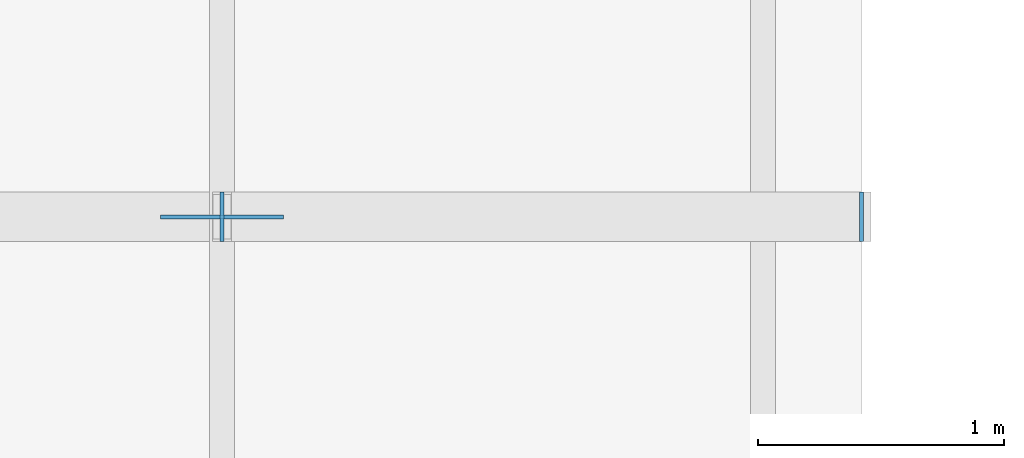
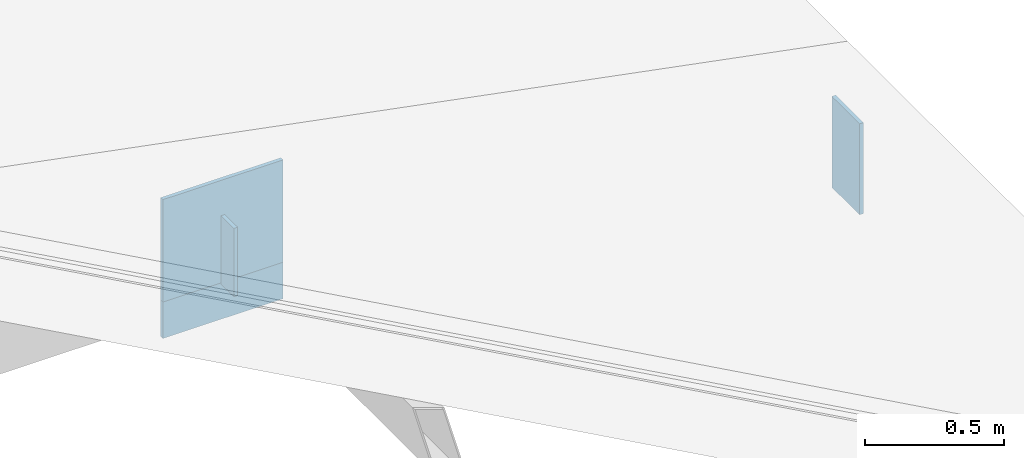
# One storey, part 157 of 200: 4 plates.
"""IFC4 building model written with IfcOpenShell, lengths in metres."""

from ifc_helpers import new_model, si_unit, direction, frame, origin, origin_2d, place, context, subcontext, project, spatial, rectangle, extrude, material, layer, layer_set, type_object, element, save


model = new_model("IFC4")

# Units and contexts
model_context = context("Model", 3, precision=1e-05, world=origin(), true_north=direction((0.0, 1.0)))
body_context = subcontext(model_context, "Body", "Model", "MODEL_VIEW")
ifc_project = project(units=[si_unit("LENGTHUNIT", "METRE"), si_unit("AREAUNIT", "SQUARE_METRE"), si_unit("VOLUMEUNIT", "CUBIC_METRE"), si_unit("PLANEANGLEUNIT", "RADIAN"), si_unit("MASSUNIT", "GRAM", prefix="KILO")], contexts=[model_context])

# Site, building, storey
site_placement = place(None, origin())
site = spatial("IfcSite", under=ifc_project, at=site_placement, CompositionType="ELEMENT")
building_placement = place(site_placement, origin())
building = spatial("IfcBuilding", under=site, at=building_placement, Name="Vondelvale Polytechnic", CompositionType="ELEMENT")
storey_placement = place(building_placement, frame((0.0, 0.0, 13.800048828125)))
storey = spatial("IfcBuildingStorey", under=building, at=storey_placement, Name="L03", CompositionType="ELEMENT", Elevation=13.800048828125)

# Plates
ifc_material = material(Name="Steel Grade 350 (fy = 340 MPa)", Category="steel")
ifc_layer_1 = layer(ifc_material, 0.01611328125)
ifc_layer_set_1 = layer_set([ifc_layer_1], Name="PLATE-CAP-300x200")
plate_type_1 = type_object("IfcPlateType", Name="PLATE-CAP-300x200", PredefinedType="USERDEFINED", material=ifc_layer_set_1)
plate_1_placement = place(storey_placement, frame((48.0, 71.39990234375, -0.5703125), z_axis=(0.0, 0.0, 1.0), x_axis=(1.0, 0.0, 0.0)))
element("IfcPlate", 1, at=plate_1_placement, inside=storey, type_object=plate_type_1, Name="ROOF TRUSS bottom chord cap plate E", ObjectType="CAP_PLATE", PredefinedType="USERDEFINED", context=body_context, shape_type="SweptSolid", body=[
    extrude(rectangle(XDim=0.01611328125, YDim=0.199951171875, at=origin_2d()), origin(), (0.0, 0.0, 1.0), 0.300048828125),
])
ifc_layer_2 = layer(ifc_material, 0.01611328125)
ifc_layer_set_2 = layer_set([ifc_layer_2], Name="PLATE-CAP-400x200")
plate_type_2 = type_object("IfcPlateType", Name="PLATE-CAP-400x200", PredefinedType="USERDEFINED", material=ifc_layer_set_2)
plate_2_placement = place(storey_placement, frame((50.60009765625, 71.39990234375, -1.12109375), z_axis=(0.0, 0.0, 1.0), x_axis=(1.0, 0.0, 0.0)))
element("IfcPlate", 2, at=plate_2_placement, inside=storey, type_object=plate_type_2, Name="ROOF TRUSS hollow end cap plate E", ObjectType="CAP_PLATE", PredefinedType="USERDEFINED", context=body_context, shape_type="SweptSolid", body=[
    extrude(rectangle(XDim=0.01611328125, YDim=0.199951171875, at=origin_2d()), origin(), (0.0, 0.0, 1.0), 0.39990234375),
])
ifc_layer_3 = layer(ifc_material, 0.01611328125)
ifc_layer_set_3 = layer_set([ifc_layer_3], Name="PLATE-GUSSET-16")
plate_type_3 = type_object("IfcPlateType", Name="PLATE-GUSSET-16", PredefinedType="USERDEFINED", material=ifc_layer_set_3)
for number, where, z_axis, x_axis, name in (
    (3, (48.0, 71.39990234375, -0.72509765625), (0.0, 0.0, 1.0), (1.0, 0.0, 0.0), "ROOF TRUSS top chord gusset node plate 9"),
    (4, (48.0, 71.39990234375, -0.56494140625), (0.0, 0.0, 1.0), (1.0, 0.0, 0.0), "ROOF TRUSS bottom chord gusset node plate 9"),
):
    element("IfcPlate", number, at=place(storey_placement, frame(where, z_axis=z_axis, x_axis=x_axis)), inside=storey, type_object=plate_type_3, Name=name, ObjectType="GUSSET_PLATE", PredefinedType="USERDEFINED", context=body_context, shape_type="SweptSolid", body=[
        extrude(rectangle(XDim=0.5, YDim=0.01611328125, at=origin_2d()), origin(), (0.0, 0.0, 1.0), 0.449951171875),
    ])

save(model, "model.ifc")
